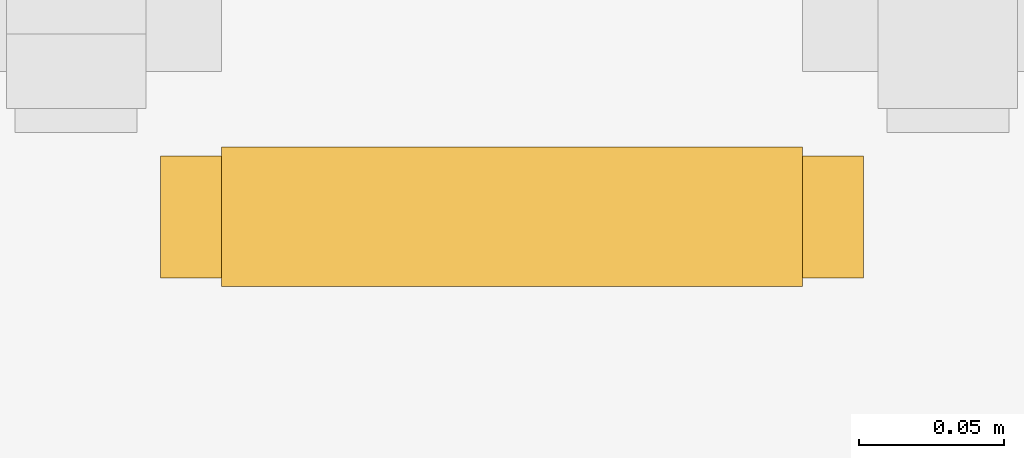
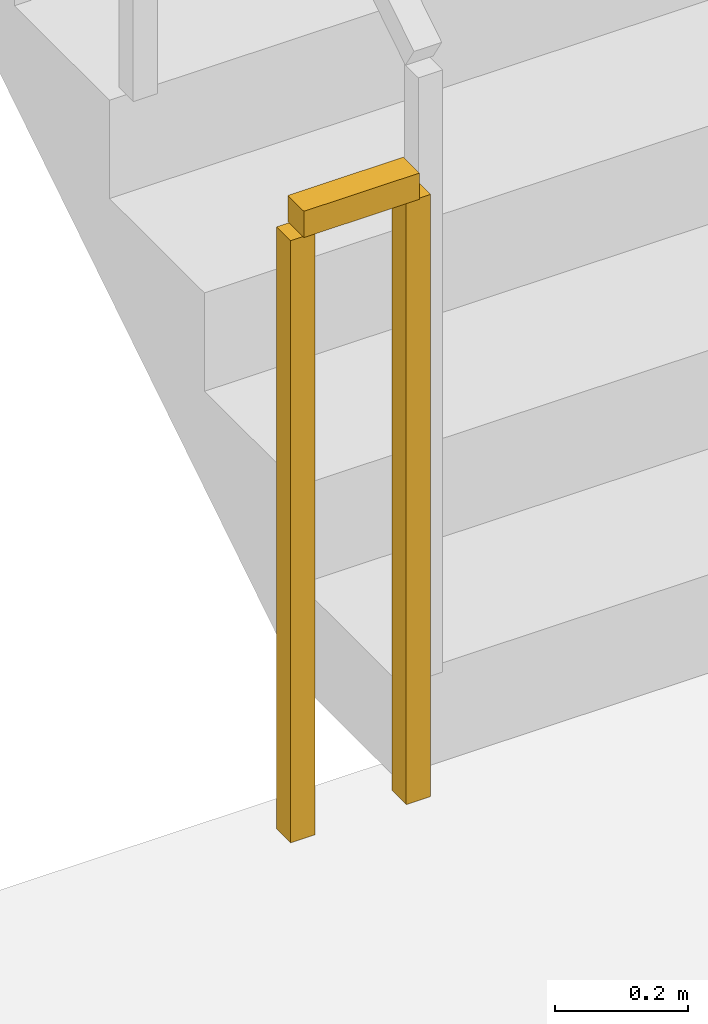
# One storey, part 22 of 24: 1 railing.
"""IFC4 building model written with IfcOpenShell, lengths in metres."""

from ifc_helpers import new_model, si_unit, direction, frame, origin, origin_2d, place, context, subcontext, project, spatial, rectangle, extrude, material, type_object, element, save


model = new_model("IFC4")

# Units and contexts
model_context = context("Model", 3, precision=1e-05, world=origin(), true_north=direction((0.0, 1.0)))
body_context = subcontext(model_context, "Body", "Model", "MODEL_VIEW")
ifc_project = project(units=[si_unit("LENGTHUNIT", "METRE"), si_unit("AREAUNIT", "SQUARE_METRE"), si_unit("VOLUMEUNIT", "CUBIC_METRE"), si_unit("PLANEANGLEUNIT", "RADIAN"), si_unit("MASSUNIT", "GRAM", prefix="KILO")], contexts=[model_context])

# Site, building, storey
site_placement = place(None, origin())
site = spatial("IfcSite", under=ifc_project, at=site_placement, CompositionType="ELEMENT")
building_placement = place(site_placement, origin())
building = spatial("IfcBuilding", under=site, at=building_placement, Name="Sarneth Arch Tower", CompositionType="ELEMENT")
storey_placement = place(building_placement, frame((0.0, 0.0, 109.199951171875)))
storey = spatial("IfcBuildingStorey", under=building, at=storey_placement, Name="L27", CompositionType="ELEMENT", Elevation=109.199951171875)

# Railing
ifc_material = material(Name="Painted Steel S275 stair well guard", Category="steel")
railing_type = type_object("IfcRailingType", Name="RAIL-STAIR-GUARD", PredefinedType="GUARDRAIL", material=ifc_material)
railing_placement = place(storey_placement, frame((39.050048828125, 41.39990234375, 0.0)))
element("IfcRailing", 1, at=railing_placement, inside=storey, type_object=railing_type, Name="L27 ST-1 stair guard 4", PredefinedType="GUARDRAIL", context=body_context, shape_type="SweptSolid", body=[
    extrude(rectangle(XDim=0.048095703125, YDim=0.048095703125, at=origin_2d()), frame((0.0, 0.0, 1.1259765625), z_axis=(-1.0, 0.0, 0.0), x_axis=(0.0, -1.0, 0.0)), (0.0, 0.0, 1.0), 0.199951171875),
    extrude(rectangle(XDim=0.0419921875, YDim=0.0419921875, at=origin_2d()), origin(), (0.0, 0.0, 1.0), 1.101806640625),
    extrude(rectangle(XDim=0.0419921875, YDim=0.0419921875, at=origin_2d()), frame((-0.199951171875, 0.0, 0.0)), (0.0, 0.0, 1.0), 1.101806640625),
])

save(model, "model.ifc")
